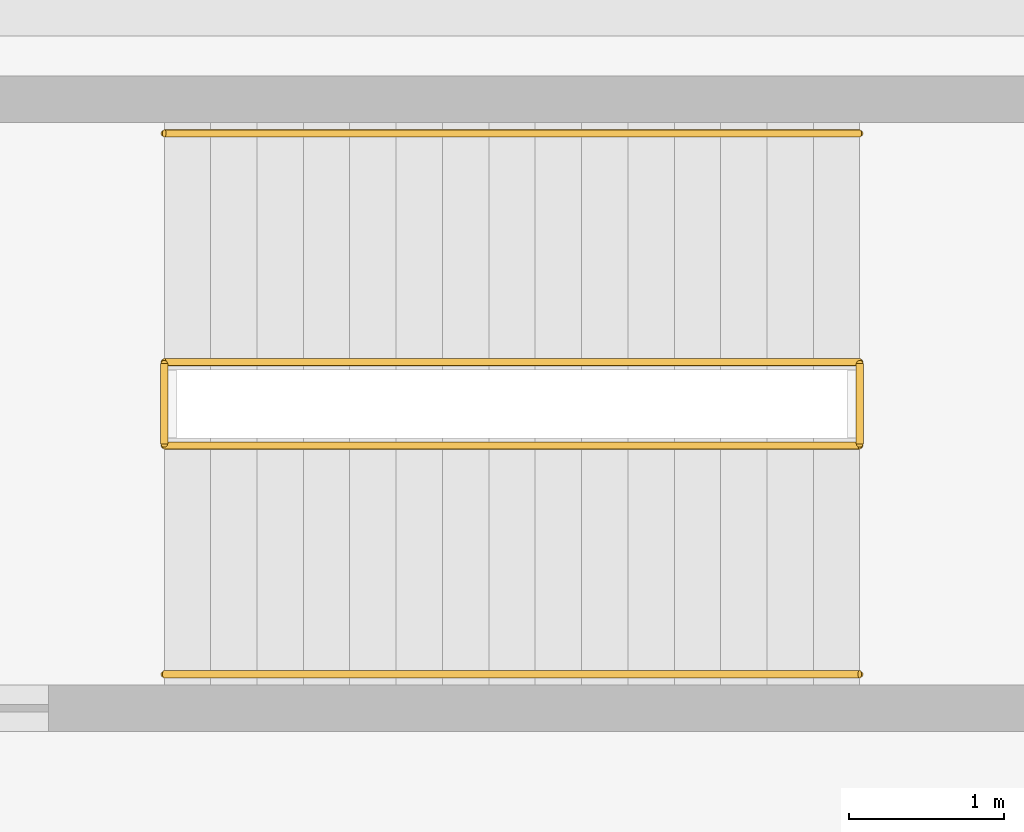
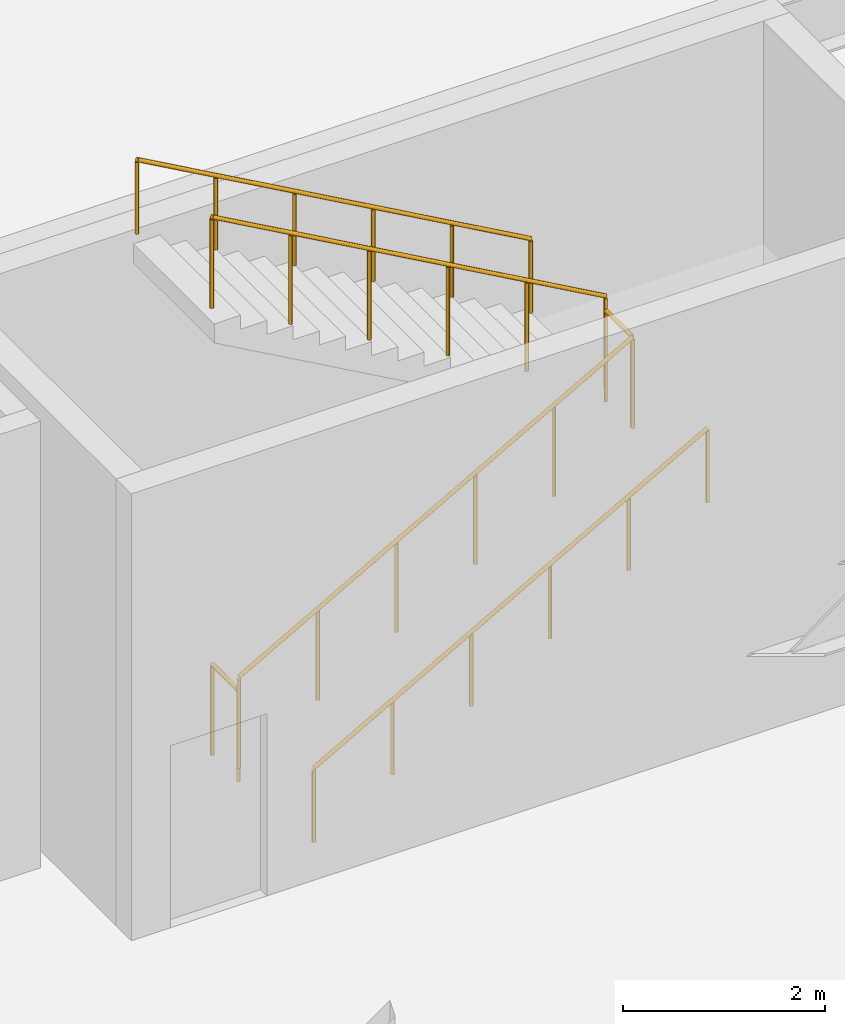
# One storey, part 98 of 100: 6 railings.
"""IFC4 building model written with IfcOpenShell, lengths in metres."""

from ifc_helpers import new_model, si_unit, direction, frame, origin, origin_2d, place, context, subcontext, project, spatial, circle, extrude, material, type_object, element, save


model = new_model("IFC4")

# Units and contexts
model_context = context("Model", 3, precision=1e-05, world=origin(), true_north=direction((0.0, 1.0)))
body_context = subcontext(model_context, "Body", "Model", "MODEL_VIEW")
ifc_project = project(units=[si_unit("LENGTHUNIT", "METRE"), si_unit("AREAUNIT", "SQUARE_METRE"), si_unit("VOLUMEUNIT", "CUBIC_METRE"), si_unit("PLANEANGLEUNIT", "RADIAN"), si_unit("MASSUNIT", "GRAM", prefix="KILO")], contexts=[model_context])

# Site, building, storey
site_placement = place(None, origin())
site = spatial("IfcSite", under=ifc_project, at=site_placement, CompositionType="ELEMENT")
building_placement = place(site_placement, origin())
building = spatial("IfcBuilding", under=site, at=building_placement, Name="Kaldorvane Square Convention Centre", CompositionType="ELEMENT")
storey_placement = place(building_placement, frame((0.0, 0.0, 18.0)))
storey = spatial("IfcBuildingStorey", under=building, at=storey_placement, Name="L03", CompositionType="ELEMENT", Elevation=18.0)

# Railings
ifc_material = material(Name="Architectural Painted Steel", Category="steel")
railing_type_1 = type_object("IfcRailingType", Name="RL-GUARD-1120", PredefinedType="BALUSTRADE", material=ifc_material)
for number, where, name in (
    (1, (67.89999389648438, 102.16999816894531, 0.0), "Tower Exit Stair T2 Floor Well Guard (L03)"),
    (2, (72.39999389648438, 102.16999816894531, 2.6999969482421875), "Tower Exit Stair T2 Half-Landing Guard (L03)"),
):
    element("IfcRailing", number, at=place(storey_placement, frame(where)), inside=storey, type_object=railing_type_1, Name=name, PredefinedType="BALUSTRADE", context=body_context, shape_type="SweptSolid", body=[
        extrude(circle(Radius=0.0240020751953125, at=origin_2d()), frame((0.0, 0.0, 1.0959930419921875), z_axis=(0.0, 1.0, 0.0), x_axis=(-1.0, 0.0, 0.0)), (0.0, 0.0, 1.0), 0.5200042724609375),
        extrude(circle(Radius=0.02099609375, at=origin_2d()), origin(), (0.0, 0.0, 1.0), 1.071990966796875),
        extrude(circle(Radius=0.02099609375, at=origin_2d()), frame((0.0, 0.5200042724609375, 0.0)), (0.0, 0.0, 1.0), 1.071990966796875),
    ])
railing_1_placement = place(storey_placement, frame((67.89999389648438, 102.16000366210938, 0.1687469482421875)))
element("IfcRailing", 3, at=railing_1_placement, inside=storey, type_object=railing_type_1, Name="Tower Exit Stair T2 Flight 1 Guard (L03)", PredefinedType="BALUSTRADE", context=body_context, shape_type="SweptSolid", body=[
    extrude(circle(Radius=0.0240020751953125, at=origin_2d()), frame((0.0, 0.0, 1.0959930419921875), z_axis=(0.871575537125, 0.0, 0.490261239633), x_axis=(0.0, 1.0, 0.0)), (0.0, 0.0, 1.0), 5.1630706787109375),
    extrude(circle(Radius=0.02099609375, at=origin_2d()), origin(), (0.0, 0.0, 1.0), 1.071990966796875),
    extrude(circle(Radius=0.02099609375, at=origin_2d()), frame((0.899993896484375, 0.0, 0.506256103515625)), (0.0, 0.0, 1.0), 1.071990966796875),
    extrude(circle(Radius=0.02099609375, at=origin_2d()), frame((1.8000030517578125, 0.0, 1.0124969482421875)), (0.0, 0.0, 1.0), 1.071990966796875),
    extrude(circle(Radius=0.02099609375, at=origin_2d()), frame((2.6999969482421875, 0.0, 1.5187530517578125)), (0.0, 0.0, 1.0), 1.071990966796875),
    extrude(circle(Radius=0.02099609375, at=origin_2d()), frame((3.600006103515625, 0.0, 2.024993896484375)), (0.0, 0.0, 1.0), 1.071990966796875),
    extrude(circle(Radius=0.02099609375, at=origin_2d()), frame((4.5, 0.0, 2.53125)), (0.0, 0.0, 1.0), 1.071990966796875),
])
railing_2_placement = place(storey_placement, frame((72.39999389648438, 102.69999694824219, 2.868743896484375)))
element("IfcRailing", 4, at=railing_2_placement, inside=storey, type_object=railing_type_1, Name="Tower Exit Stair T2 Flight 2 Guard (L03)", PredefinedType="BALUSTRADE", context=body_context, shape_type="SweptSolid", body=[
    extrude(circle(Radius=0.0240020751953125, at=origin_2d()), frame((0.0, 0.0, 1.0959930419921875), z_axis=(-0.871575537125, 0.0, 0.490261239633), x_axis=(0.0, -1.0, 0.0)), (0.0, 0.0, 1.0), 5.1630706787109375),
    extrude(circle(Radius=0.02099609375, at=origin_2d()), origin(), (0.0, 0.0, 1.0), 1.071990966796875),
    extrude(circle(Radius=0.02099609375, at=origin_2d()), frame((-0.899993896484375, 0.0, 0.506256103515625)), (0.0, 0.0, 1.0), 1.071990966796875),
    extrude(circle(Radius=0.02099609375, at=origin_2d()), frame((-1.8000030517578125, 0.0, 1.0124969482421875)), (0.0, 0.0, 1.0), 1.071990966796875),
    extrude(circle(Radius=0.02099609375, at=origin_2d()), frame((-2.6999969482421875, 0.0, 1.5187530517578125)), (0.0, 0.0, 1.0), 1.071990966796875),
    extrude(circle(Radius=0.02099609375, at=origin_2d()), frame((-3.600006103515625, 0.0, 2.024993896484375)), (0.0, 0.0, 1.0), 1.071990966796875),
    extrude(circle(Radius=0.02099609375, at=origin_2d()), frame((-4.5, 0.0, 2.53125)), (0.0, 0.0, 1.0), 1.071990966796875),
])
railing_type_2 = type_object("IfcRailingType", Name="RL-HAND-915", PredefinedType="HANDRAIL", material=ifc_material)
railing_3_placement = place(storey_placement, frame((67.89999389648438, 100.67999267578125, 0.1687469482421875)))
element("IfcRailing", 5, at=railing_3_placement, inside=storey, type_object=railing_type_2, Name="Tower Exit Stair T2 Wall Handrail 1 (L03)", PredefinedType="HANDRAIL", context=body_context, shape_type="SweptSolid", body=[
    extrude(circle(Radius=0.0240020751953125, at=origin_2d()), frame((0.0, 0.0, 0.8909912109375), z_axis=(0.871575537125, 0.0, 0.490261239633), x_axis=(0.0, 1.0, 0.0)), (0.0, 0.0, 1.0), 5.1630706787109375),
    extrude(circle(Radius=0.02099609375, at=origin_2d()), origin(), (0.0, 0.0, 1.0), 0.8669891357421875),
    extrude(circle(Radius=0.02099609375, at=origin_2d()), frame((0.899993896484375, 0.0, 0.506256103515625)), (0.0, 0.0, 1.0), 0.8669891357421875),
    extrude(circle(Radius=0.02099609375, at=origin_2d()), frame((1.8000030517578125, 0.0, 1.0124969482421875)), (0.0, 0.0, 1.0), 0.8669891357421875),
    extrude(circle(Radius=0.02099609375, at=origin_2d()), frame((2.6999969482421875, 0.0, 1.5187530517578125)), (0.0, 0.0, 1.0), 0.8669891357421875),
    extrude(circle(Radius=0.02099609375, at=origin_2d()), frame((3.600006103515625, 0.0, 2.024993896484375)), (0.0, 0.0, 1.0), 0.8669891357421875),
    extrude(circle(Radius=0.02099609375, at=origin_2d()), frame((4.5, 0.0, 2.53125)), (0.0, 0.0, 1.0), 0.8669891357421875),
])
railing_4_placement = place(storey_placement, frame((72.39999389648438, 104.17999267578125, 2.868743896484375)))
element("IfcRailing", 6, at=railing_4_placement, inside=storey, type_object=railing_type_2, Name="Tower Exit Stair T2 Wall Handrail 2 (L03)", PredefinedType="HANDRAIL", context=body_context, shape_type="SweptSolid", body=[
    extrude(circle(Radius=0.0240020751953125, at=origin_2d()), frame((0.0, 0.0, 0.8909912109375), z_axis=(-0.871575537125, 0.0, 0.490261239633), x_axis=(0.0, -1.0, 0.0)), (0.0, 0.0, 1.0), 5.1630706787109375),
    extrude(circle(Radius=0.02099609375, at=origin_2d()), origin(), (0.0, 0.0, 1.0), 0.8669891357421875),
    extrude(circle(Radius=0.02099609375, at=origin_2d()), frame((-0.899993896484375, 0.0, 0.506256103515625)), (0.0, 0.0, 1.0), 0.8669891357421875),
    extrude(circle(Radius=0.02099609375, at=origin_2d()), frame((-1.8000030517578125, 0.0, 1.0124969482421875)), (0.0, 0.0, 1.0), 0.8669891357421875),
    extrude(circle(Radius=0.02099609375, at=origin_2d()), frame((-2.6999969482421875, 0.0, 1.5187530517578125)), (0.0, 0.0, 1.0), 0.8669891357421875),
    extrude(circle(Radius=0.02099609375, at=origin_2d()), frame((-3.600006103515625, 0.0, 2.024993896484375)), (0.0, 0.0, 1.0), 0.8669891357421875),
    extrude(circle(Radius=0.02099609375, at=origin_2d()), frame((-4.5, 0.0, 2.53125)), (0.0, 0.0, 1.0), 0.8669891357421875),
])

save(model, "model.ifc")
